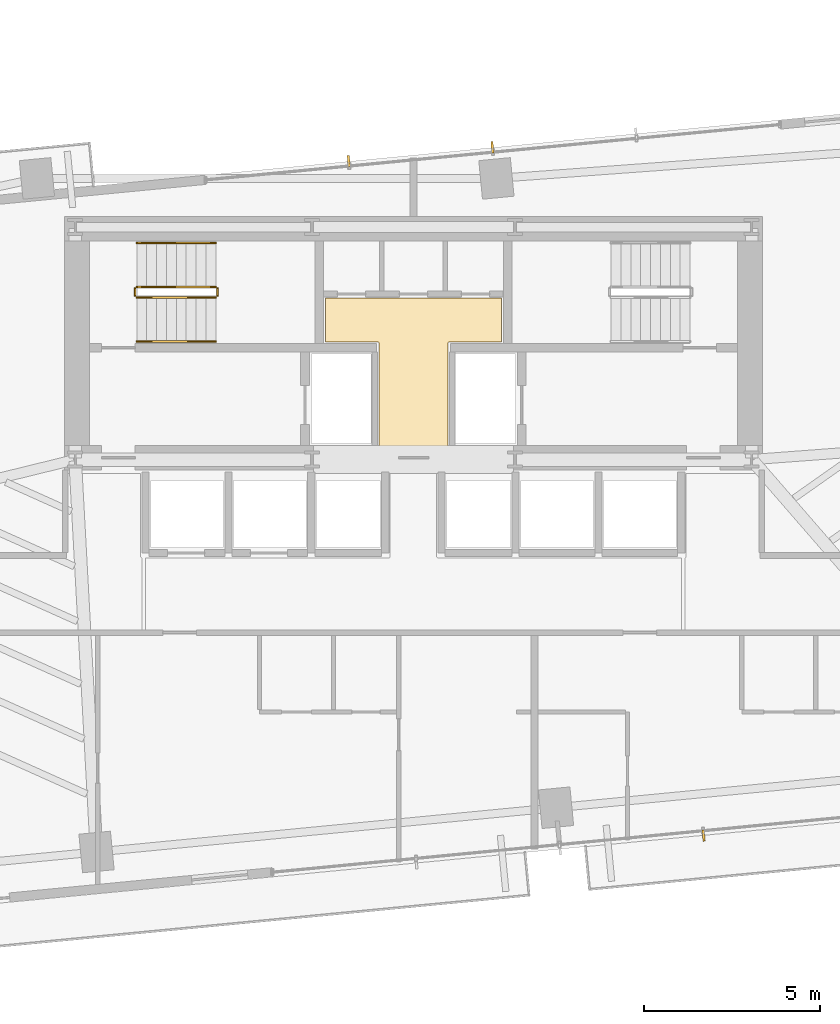
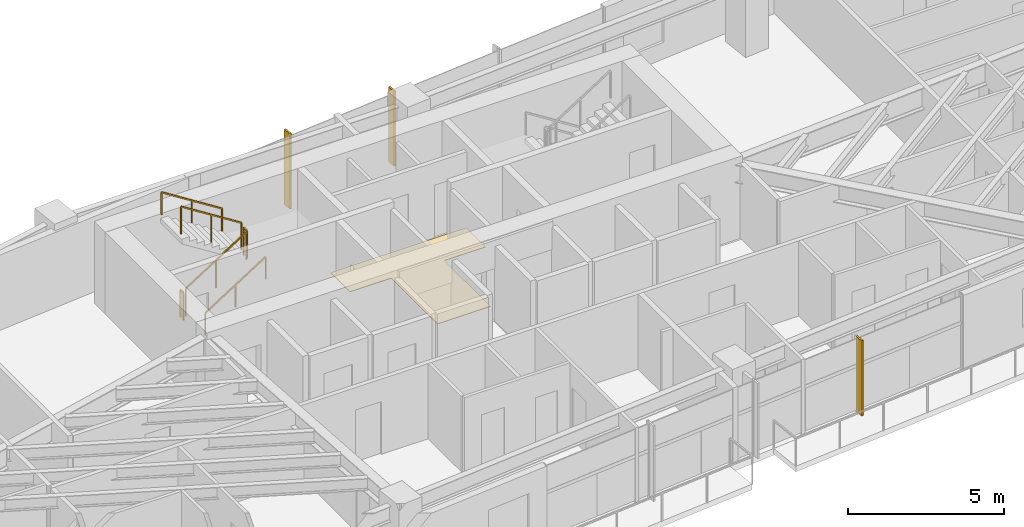
# One storey, part 26 of 27: 6 railings, 3 shading devices, 1 covering.
"""IFC4 building model written with IfcOpenShell, lengths in metres."""

import ifcopenshell
import ifcopenshell.guid

model = None  # the IFC model being written
_history = None  # IfcOwnerHistory: only IFC2X3 demands one
_inside = {}  # id of a spatial element -> (the spatial element, [elements in it])
_under = {}  # id of a project, library or spatial element -> (it, [spatial elements below it])
_declared = {}  # id of a project -> (the project, [libraries it declares])
_typed = {}  # id of a type object -> (the type object, [elements of that type])
_made_of = {}  # id of a material, layer set ... -> (it, [elements and type objects made of it])


def new_model(schema):
    """Start an empty IFC model of exactly this schema.

    Asked for "IFC4X3", IfcOpenShell would pick the latest addendum, in which some entities
    have other attributes; the version numbers below select the first issue.
    IFC2X3 requires an IfcOwnerHistory on every rooted entity: one is made here for all.
    """
    global model, _history
    if schema == "IFC4X3":
        model = ifcopenshell.file(schema_version=(4, 3, 0, 0))
    else:
        model = ifcopenshell.file(schema=schema)
    _inside.clear()
    _under.clear()
    _declared.clear()
    _typed.clear()
    _made_of.clear()
    _history = None
    if model.schema == "IFC2X3":
        org = make("IfcOrganization", Name="unknown")
        user = make(
            "IfcPersonAndOrganization",
            ThePerson=make("IfcPerson", FamilyName="unknown"),
            TheOrganization=org,
        )
        app = make(
            "IfcApplication",
            ApplicationDeveloper=org,
            Version="unknown",
            ApplicationFullName="unknown",
            ApplicationIdentifier="unknown",
        )
        _history = make(
            "IfcOwnerHistory",
            OwningUser=user,
            OwningApplication=app,
            ChangeAction="ADDED",
            CreationDate=0,
        )
    return model


def make(cls, **values):
    """One entity of the class cls with the attributes given. An attribute that is None is left unset."""
    return model.create_entity(
        cls, **{name: value for name, value in values.items() if value is not None}
    )


def rooted(cls, **values):
    """An entity with a GlobalId (a new one), such as an element, a storey or a relation."""
    return make(cls, GlobalId=ifcopenshell.guid.new(), OwnerHistory=_history, **values)


def si_unit(unit_type, name, prefix=None):
    """IfcSIUnit, for example si_unit("LENGTHUNIT", "METRE", prefix="MILLI")."""
    return make("IfcSIUnit", UnitType=unit_type, Prefix=prefix, Name=name)


def assignment(units):
    """IfcUnitAssignment: the units of a project."""
    return None if units is None else make("IfcUnitAssignment", Units=units)


def point(xyz):
    """IfcCartesianPoint."""
    return None if xyz is None else make("IfcCartesianPoint", Coordinates=xyz)


def direction(xyz):
    """IfcDirection."""
    return None if xyz is None else make("IfcDirection", DirectionRatios=xyz)


def frame(location, z_axis=None, x_axis=None):
    """IfcAxis2Placement3D, a coordinate frame: its origin and axes. An axis left out is left unset."""
    return make(
        "IfcAxis2Placement3D",
        Location=point(location),
        Axis=direction(z_axis),
        RefDirection=direction(x_axis),
    )


def frame_2d(location, x_axis=None):
    """IfcAxis2Placement2D, a coordinate frame in the plane: its origin and x axis."""
    return make(
        "IfcAxis2Placement2D", Location=point(location), RefDirection=direction(x_axis)
    )


def origin():
    """The frame at (0, 0, 0) with its axes left unset."""
    return frame((0.0, 0.0, 0.0))


def origin_2d():
    """The frame at (0, 0) in the plane with its x axis left unset."""
    return frame_2d((0.0, 0.0))


def place(relative_to, where):
    """IfcLocalPlacement: puts the frame where relative to a parent placement (None: the world)."""
    return make(
        "IfcLocalPlacement", PlacementRelTo=relative_to, RelativePlacement=where
    )


def context(
    kind, dimensions, precision=None, world=None, true_north=None, identifier=None
):
    """IfcGeometricRepresentationContext, for example the 3D "Model" context."""
    return make(
        "IfcGeometricRepresentationContext",
        ContextIdentifier=identifier,
        ContextType=kind,
        CoordinateSpaceDimension=dimensions,
        Precision=precision,
        WorldCoordinateSystem=world,
        TrueNorth=true_north,
    )


def subcontext(parent, identifier, kind, view, scale=None):
    """IfcGeometricRepresentationSubContext, for example "Body" below "Model"."""
    return make(
        "IfcGeometricRepresentationSubContext",
        ContextIdentifier=identifier,
        ContextType=kind,
        ParentContext=parent,
        TargetScale=scale,
        TargetView=view,
    )


def project(units=None, contexts=None):
    """IfcProject with its units and contexts."""
    return rooted(
        "IfcProject",
        Name="project",
        RepresentationContexts=contexts,
        UnitsInContext=assignment(units),
    )


def spatial(cls, under=None, at=None, **own):
    """A site, building, storey or space (cls), placed at a placement, below another one or the project."""
    s = rooted(cls, ObjectPlacement=at, **own)
    if under is not None:
        _under.setdefault(under.id(), (under, []))[1].append(s)
    return s


def polyline(points):
    """IfcPolyline through the points."""
    return make("IfcPolyline", Points=[point(p) for p in points])


def profile(cls, at=None, kind="AREA", **sizes):
    """A parametric profile (cls). Its sizes go by their IFC names, for example OverallWidth=200.0."""
    return make(cls, ProfileType=kind, Position=at, **sizes)


def rectangle(**sizes):
    """IfcRectangleProfileDef."""
    return profile("IfcRectangleProfileDef", **sizes)


def outline(outer, holes=None, kind="AREA"):
    """IfcArbitraryClosedProfileDef: a profile drawn as a closed curve; with holes, ...WithVoids."""
    if holes is None:
        return make("IfcArbitraryClosedProfileDef", ProfileType=kind, OuterCurve=outer)
    return make(
        "IfcArbitraryProfileDefWithVoids",
        ProfileType=kind,
        OuterCurve=outer,
        InnerCurves=holes,
    )


def extrude(swept, where, along, depth):
    """IfcExtrudedAreaSolid: the profile swept, set in the frame where, extruded along a direction by depth."""
    return make(
        "IfcExtrudedAreaSolid",
        SweptArea=swept,
        Position=where,
        ExtrudedDirection=direction(along),
        Depth=depth,
    )


def shape(context_of_items, identifier, shape_type, items):
    """IfcShapeRepresentation: the items that make up one representation, for example the "Body"."""
    return make(
        "IfcShapeRepresentation",
        ContextOfItems=context_of_items,
        RepresentationIdentifier=identifier,
        RepresentationType=shape_type,
        Items=items,
    )


def source(mapping_origin, context_of_items, identifier, shape_type, items):
    """IfcRepresentationMap: a shape defined once, which mapped items show again and again."""
    return make(
        "IfcRepresentationMap",
        MappingOrigin=mapping_origin,
        MappedRepresentation=shape(context_of_items, identifier, shape_type, items),
    )


def transform(
    local_origin,
    x_axis=None,
    y_axis=None,
    z_axis=None,
    scale=None,
    scale2=None,
    scale3=None,
    uniform=True,
):
    """IfcCartesianTransformationOperator3D, or its non-uniform kind. x_axis, y_axis, z_axis: its Axis1, 2, 3."""
    if uniform:
        return make(
            "IfcCartesianTransformationOperator3D",
            Axis1=direction(x_axis),
            Axis2=direction(y_axis),
            LocalOrigin=point(local_origin),
            Scale=scale,
            Axis3=direction(z_axis),
        )
    return make(
        "IfcCartesianTransformationOperator3DnonUniform",
        Axis1=direction(x_axis),
        Axis2=direction(y_axis),
        LocalOrigin=point(local_origin),
        Scale=scale,
        Axis3=direction(z_axis),
        Scale2=scale2,
        Scale3=scale3,
    )


def mapped(mapping_source, mapping_target):
    """IfcMappedItem: shows the shape of a source again, moved by a transform."""
    return make(
        "IfcMappedItem", MappingSource=mapping_source, MappingTarget=mapping_target
    )


def material(Name=None, Category=None):
    """IfcMaterial."""
    return make("IfcMaterial", Name=Name, Category=Category)


def layer(
    of_material, thickness, ventilated=None, Name=None, Category=None, Priority=None
):
    """IfcMaterialLayer: one layer of a wall or slab, of a material (None: an air gap)."""
    return make(
        "IfcMaterialLayer",
        Material=of_material,
        LayerThickness=thickness,
        IsVentilated=ventilated,
        Name=Name,
        Category=Category,
        Priority=Priority,
    )


def layer_set(layers, Name=None):
    """IfcMaterialLayerSet."""
    return make("IfcMaterialLayerSet", MaterialLayers=layers, LayerSetName=Name)


def made_of(thing, what):
    """Note that an element or type object is made of a material, layer set ...; save() writes the relation."""
    if what is not None:
        _made_of.setdefault(what.id(), (what, []))[1].append(thing)
    return thing


def type_object(cls, material=None, **own):
    """A type object (cls), such as IfcWallType, which elements share."""
    return made_of(rooted(cls, **own), material)


def type_shapes(of_type, sources):
    """Give a type object the sources (RepresentationMaps) that its elements show as mapped items."""
    of_type.RepresentationMaps = sources


def element(
    cls,
    number,
    at=None,
    inside=None,
    cuts=None,
    type_object=None,
    material=None,
    context=None,
    identifier="Body",
    shape_type=None,
    held_by="IfcProductDefinitionShape",
    body=None,
    shapes=None,
    **own,
):
    """One element of the class cls, such as IfcWall. Its Tag is "e" and its number.

    at: its placement. inside: the storey or other place that contains it. cuts: it is an
    opening in that element (IfcRelVoidsElement). A single representation is given by context,
    identifier, shape_type and body (its items); several are given by shapes. held_by: the class
    of the entity that holds the representations. save() writes the other relations.
    """
    e = rooted(cls, Tag="e%d" % number, ObjectPlacement=at, **own)
    if body is not None:
        shapes = [shape(context, identifier, shape_type, body)]
    if shapes is not None:
        e.Representation = make(held_by, Representations=shapes)
    if inside is not None:
        _inside.setdefault(inside.id(), (inside, []))[1].append(e)
    if cuts is not None:
        rooted(
            "IfcRelVoidsElement", RelatingBuildingElement=cuts, RelatedOpeningElement=e
        )
    if type_object is not None:
        _typed.setdefault(type_object.id(), (type_object, []))[1].append(e)
    return made_of(e, material)


def aggregate(whole, parts):
    """IfcRelAggregates: a whole, such as a stair, and the parts it consists of."""
    return rooted("IfcRelAggregates", RelatingObject=whole, RelatedObjects=parts)


def save(model, path):
    """Write the relations noted so far, then the file.

    IfcRelAggregates (storeys below a building ...), IfcRelContainedInSpatialStructure (elements
    in a storey), IfcRelDefinesByType, IfcRelAssociatesMaterial and IfcRelDeclares: one each for
    every whole, place, type object, material and project.
    """
    for whole, parts in _under.values():
        aggregate(whole, parts)
    for where, things in _inside.values():
        rooted(
            "IfcRelContainedInSpatialStructure",
            RelatedElements=things,
            RelatingStructure=where,
        )
    for kind, things in _typed.values():
        rooted("IfcRelDefinesByType", RelatedObjects=things, RelatingType=kind)
    for what, things in _made_of.values():
        rooted("IfcRelAssociatesMaterial", RelatedObjects=things, RelatingMaterial=what)
    for by, libraries in _declared.values():
        rooted("IfcRelDeclares", RelatingContext=by, RelatedDefinitions=libraries)
    model.write(path)


model = new_model("IFC4")

# Units and contexts
model_context = context("Model", 3, precision=1e-05, world=origin(), true_north=direction((0.0, 1.0)))
body_context = subcontext(model_context, "Body", "Model", "MODEL_VIEW")
ifc_project = project(units=[si_unit("LENGTHUNIT", "METRE"), si_unit("AREAUNIT", "SQUARE_METRE"), si_unit("VOLUMEUNIT", "CUBIC_METRE"), si_unit("PLANEANGLEUNIT", "RADIAN"), si_unit("MASSUNIT", "GRAM", prefix="KILO")], contexts=[model_context])

# Site, building, storey
site_placement = place(None, origin())
site = spatial("IfcSite", under=ifc_project, at=site_placement, CompositionType="ELEMENT")
building_placement = place(site_placement, origin())
building = spatial("IfcBuilding", under=site, at=building_placement, Name="Astriad Promenade Condominiums", CompositionType="ELEMENT")
storey_placement = place(building_placement, frame((0.0, 0.0, 84.199951171875)))
storey = spatial("IfcBuildingStorey", under=building, at=storey_placement, Name="L23", CompositionType="ELEMENT", Elevation=84.199951171875)

# Covering
ifc_material_1 = material(Name="Polished Lakefront Terrazzo Flooring")
ifc_layer = layer(ifc_material_1, 0.02001953125)
ifc_layer_set = layer_set([ifc_layer], Name="Polished Lakefront Terrazzo Flooring")
covering_type = type_object("IfcCoveringType", Name="COV-FLOR-TERRAZZO-20", PredefinedType="FLOORING", material=ifc_layer_set)
covering_placement = place(storey_placement, origin())
element("IfcCovering", 1, at=covering_placement, inside=storey, type_object=covering_type, Name="FLR-L23-CSL", PredefinedType="FLOORING", context=body_context, shape_type="SweptSolid", body=[
    extrude(outline(polyline([(36.97998046875, 20.699951171875), (36.97998046875, 17.7900390625), (35.02001953125, 17.7900390625), (35.02001953125, 20.699951171875), (35.019775390625, 20.703857421875), (35.019287109375, 20.707763671875), (35.018310546875, 20.711669921875), (35.01708984375, 20.71533203125), (35.015380859375, 20.718994140625), (35.01318359375, 20.72216796875), (35.010986328125, 20.725341796875), (35.00830078125, 20.728271484375), (35.00537109375, 20.73095703125), (35.002197265625, 20.7333984375), (34.998779296875, 20.7353515625), (34.995361328125, 20.737060546875), (34.99169921875, 20.73828125), (34.98779296875, 20.7392578125), (34.98388671875, 20.73974609375), (34.97998046875, 20.739990234375), (33.5, 20.739990234375), (33.5, 21.97998046875), (38.5, 21.97998046875), (38.5, 20.739990234375), (37.02001953125, 20.739990234375), (37.01611328125, 20.73974609375), (37.01220703125, 20.7392578125), (37.00830078125, 20.73828125), (37.004638671875, 20.737060546875), (37.001220703125, 20.7353515625), (36.997802734375, 20.7333984375), (36.99462890625, 20.73095703125), (36.99169921875, 20.728271484375), (36.989013671875, 20.725341796875), (36.98681640625, 20.72216796875), (36.984619140625, 20.718994140625), (36.98291015625, 20.71533203125), (36.981689453125, 20.711669921875), (36.980712890625, 20.707763671875), (36.980224609375, 20.703857421875), (36.97998046875, 20.699951171875)])), origin(), (0.0, 0.0, 1.0), 0.02001953125),
])

# Shading devices
ifc_material_2 = material(Name="Anodised aluminium 6063-T6 Black Fin", Category="aluminium")
shading_device_type = type_object("IfcShadingDeviceType", Name="FIN-BLACK-320", PredefinedType="USERDEFINED", material=ifc_material_2)
shared_shape_1 = source(origin(), body_context, "Body", "SweptSolid", [
    extrude(rectangle(XDim=0.06494140625, YDim=0.320068359375, at=origin_2d()), origin(), (0.0, 0.0, 1.0), 2.93994140625),
])
type_shapes(shading_device_type, [shared_shape_1])
for number, where, z_axis, x_axis, name in (
    (2, (34.164306640625, 25.87158203125, 0.0), (0.0, 0.0, 1.0), (0.995396198367, 0.09584575252, 0.0), "CW-L23-N-FIN-01"),
    (3, (38.240478515625, 26.263916015625, 0.0), (0.0, 0.0, 1.0), (0.995396198367, 0.09584575252, 0.0), "CW-L23-N-FIN-02"),
    (4, (44.235595703125, 6.728515625, 0.0), (0.0, 0.0, 1.0), (-0.995396198367, -0.09584575252, 0.0), "CW-L23-S-FIN-01"),
):
    element("IfcShadingDevice", number, at=place(storey_placement, frame(where, z_axis=z_axis, x_axis=x_axis)), inside=storey, type_object=shading_device_type, Name=name, ObjectType="FIN", PredefinedType="USERDEFINED", context=body_context, shape_type="MappedRepresentation", body=[
        mapped(shared_shape_1, transform((0.0, 0.0, 0.0), scale=1.0)),
    ])

# Railings
ifc_material_3 = material(Name="Painted Galvanised Steel Guardrail", Category="steel")
railing_type_1 = type_object("IfcRailingType", Name="GRD-STAIR-1100", PredefinedType="GUARDRAIL", material=ifc_material_3)
shared_shape_2 = source(origin(), body_context, "Body", "SweptSolid", [
    extrude(rectangle(XDim=0.048095703125, YDim=0.048095703125, at=origin_2d()), frame((0.0, 0.0, 1.076171875), z_axis=(0.0, 1.0, 0.0), x_axis=(-1.0, 0.0, 0.0)), (0.0, 0.0, 1.0), 0.199951171875),
    extrude(rectangle(XDim=0.0419921875, YDim=0.0419921875, at=origin_2d()), origin(), (0.0, 0.0, 1.0), 1.052001953125),
    extrude(rectangle(XDim=0.0419921875, YDim=0.0419921875, at=origin_2d()), frame((0.0, 0.199951171875, 0.0)), (0.0, 0.0, 1.0), 1.052001953125),
])
for number, where, name in (
    (5, (30.43994140625, 22.050048828125, 1.60009765625), "L23 ST-1 stair guard 2"),
    (6, (28.10009765625, 22.050048828125, 0.0), "L23 ST-1 stair guard 4"),
):
    element("IfcRailing", number, at=place(storey_placement, frame(where)), inside=storey, type_object=railing_type_1, Name=name, PredefinedType="GUARDRAIL", context=body_context, shape_type="MappedRepresentation", body=[
        mapped(shared_shape_2, transform((0.0, 0.0, 0.0), scale=1.0)),
    ])
shared_shape_3 = source(origin(), body_context, "Body", "SweptSolid", [
    extrude(rectangle(XDim=0.048095703125, YDim=0.048095703125, at=origin_2d()), frame((0.0, 0.0, 1.076171875), z_axis=(0.84418770128, 0.0, 0.536047689118), x_axis=(0.0, 1.0, 0.0)), (0.0, 0.0, 1.0), 2.6533203125),
    extrude(rectangle(XDim=0.0419921875, YDim=0.0419921875, at=origin_2d()), origin(), (0.0, 0.0, 1.0), 1.052001953125),
    extrude(rectangle(XDim=0.0419921875, YDim=0.0419921875, at=origin_2d()), frame((1.1201171875, 0.0, 0.711181640625)), (0.0, 0.0, 1.0), 1.052001953125),
    extrude(rectangle(XDim=0.0419921875, YDim=0.0419921875, at=origin_2d()), frame((2.239990234375, 0.0, 1.42236328125)), (0.0, 0.0, 1.0), 1.052001953125),
])
railing_1_placement = place(storey_placement, frame((28.14990234375, 22.0, 0.177734375)))
element("IfcRailing", 7, at=railing_1_placement, inside=storey, type_object=railing_type_1, Name="L23 ST-1 stair guard 1", PredefinedType="GUARDRAIL", context=body_context, shape_type="MappedRepresentation", body=[
    mapped(shared_shape_3, transform((0.0, 0.0, 0.0), scale=1.0)),
])
shared_shape_4 = source(origin(), body_context, "Body", "SweptSolid", [
    extrude(rectangle(XDim=0.048095703125, YDim=0.048095703125, at=origin_2d()), frame((0.0, 0.0, 1.076171875), z_axis=(-0.8442293374, 0.0, 0.53598211339), x_axis=(0.0, -1.0, 0.0)), (0.0, 0.0, 1.0), 2.6533203125),
    extrude(rectangle(XDim=0.0419921875, YDim=0.0419921875, at=origin_2d()), origin(), (0.0, 0.0, 1.0), 1.052001953125),
    extrude(rectangle(XDim=0.0419921875, YDim=0.0419921875, at=origin_2d()), frame((-1.1201171875, 0.0, 0.7109375)), (0.0, 0.0, 1.0), 1.052001953125),
    extrude(rectangle(XDim=0.0419921875, YDim=0.0419921875, at=origin_2d()), frame((-2.239990234375, 0.0, 1.422119140625)), (0.0, 0.0, 1.0), 1.052001953125),
])
type_shapes(railing_type_1, [shared_shape_2, shared_shape_3, shared_shape_4])
railing_2_placement = place(storey_placement, frame((30.389892578125, 22.300048828125, 1.77783203125)))
element("IfcRailing", 8, at=railing_2_placement, inside=storey, type_object=railing_type_1, Name="L23 ST-1 stair guard 3", PredefinedType="GUARDRAIL", context=body_context, shape_type="MappedRepresentation", body=[
    mapped(shared_shape_4, transform((0.0, 0.0, 0.0), scale=1.0)),
])
ifc_material_4 = material(Name="Brushed Stainless Steel Handrail", Category="steel")
railing_type_2 = type_object("IfcRailingType", Name="HRL-STAIR-920", PredefinedType="HANDRAIL", material=ifc_material_4)
shared_shape_5 = source(origin(), body_context, "Body", "SweptSolid", [
    extrude(rectangle(XDim=0.048095703125, YDim=0.048095703125, at=origin_2d()), frame((0.0, 0.0, 0.8759765625), z_axis=(0.84418770128, 0.0, 0.536047689118), x_axis=(0.0, 1.0, 0.0)), (0.0, 0.0, 1.0), 2.6533203125),
    extrude(rectangle(XDim=0.0419921875, YDim=0.0419921875, at=origin_2d()), origin(), (0.0, 0.0, 1.0), 0.851806640625),
    extrude(rectangle(XDim=0.0419921875, YDim=0.0419921875, at=origin_2d()), frame((1.1201171875, 0.0, 0.711181640625)), (0.0, 0.0, 1.0), 0.851806640625),
    extrude(rectangle(XDim=0.0419921875, YDim=0.0419921875, at=origin_2d()), frame((2.239990234375, 0.0, 1.42236328125)), (0.0, 0.0, 1.0), 0.851806640625),
])
railing_3_placement = place(storey_placement, frame((28.14990234375, 20.75, 0.177734375)))
element("IfcRailing", 9, at=railing_3_placement, inside=storey, type_object=railing_type_2, Name="L23 ST-1 stair handrail 1", PredefinedType="HANDRAIL", context=body_context, shape_type="MappedRepresentation", body=[
    mapped(shared_shape_5, transform((0.0, 0.0, 0.0), scale=1.0)),
])
shared_shape_6 = source(origin(), body_context, "Body", "SweptSolid", [
    extrude(rectangle(XDim=0.048095703125, YDim=0.048095703125, at=origin_2d()), frame((0.0, 0.0, 0.8759765625), z_axis=(-0.8442293374, 0.0, 0.53598211339), x_axis=(0.0, -1.0, 0.0)), (0.0, 0.0, 1.0), 2.6533203125),
    extrude(rectangle(XDim=0.0419921875, YDim=0.0419921875, at=origin_2d()), origin(), (0.0, 0.0, 1.0), 0.851806640625),
    extrude(rectangle(XDim=0.0419921875, YDim=0.0419921875, at=origin_2d()), frame((-1.1201171875, 0.0, 0.7109375)), (0.0, 0.0, 1.0), 0.851806640625),
    extrude(rectangle(XDim=0.0419921875, YDim=0.0419921875, at=origin_2d()), frame((-2.239990234375, 0.0, 1.422119140625)), (0.0, 0.0, 1.0), 0.851806640625),
])
type_shapes(railing_type_2, [shared_shape_5, shared_shape_6])
railing_4_placement = place(storey_placement, frame((30.389892578125, 23.550048828125, 1.77783203125)))
element("IfcRailing", 10, at=railing_4_placement, inside=storey, type_object=railing_type_2, Name="L23 ST-1 stair handrail 2", PredefinedType="HANDRAIL", context=body_context, shape_type="MappedRepresentation", body=[
    mapped(shared_shape_6, transform((0.0, 0.0, 0.0), scale=1.0)),
])

save(model, "model.ifc")
